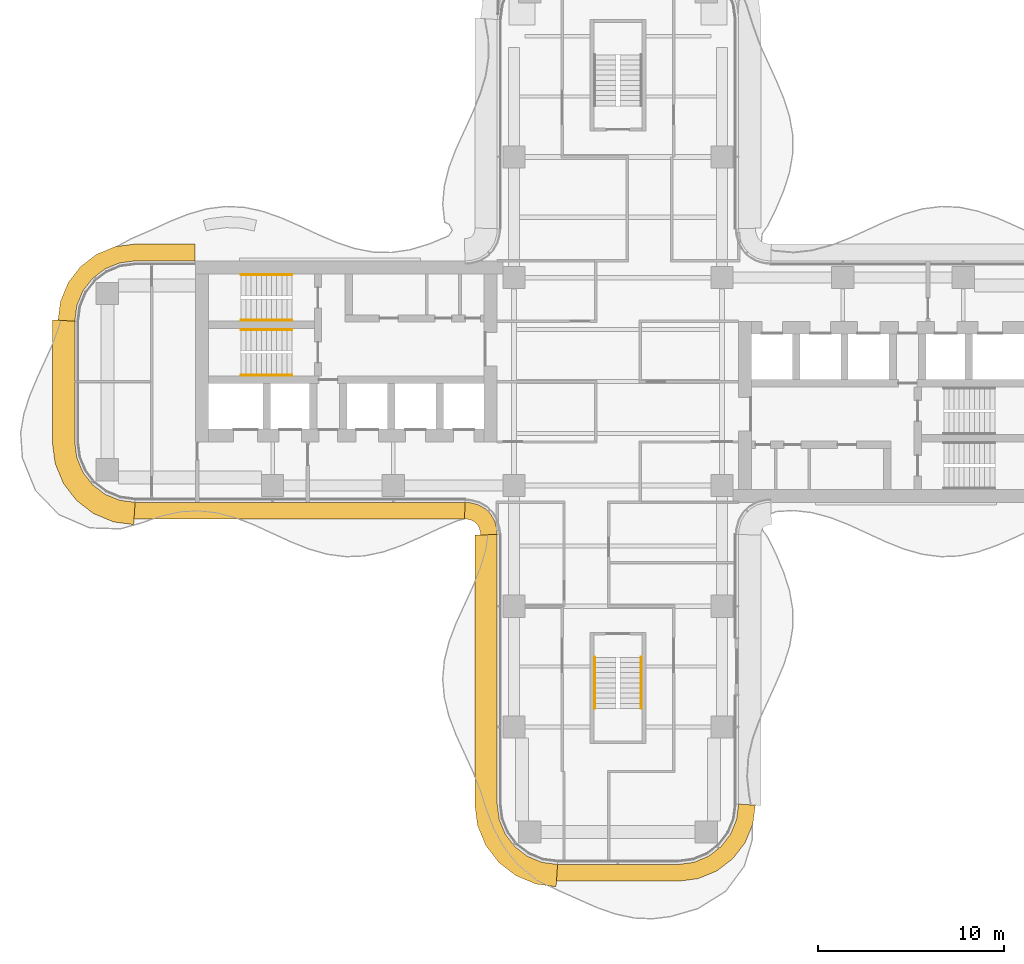
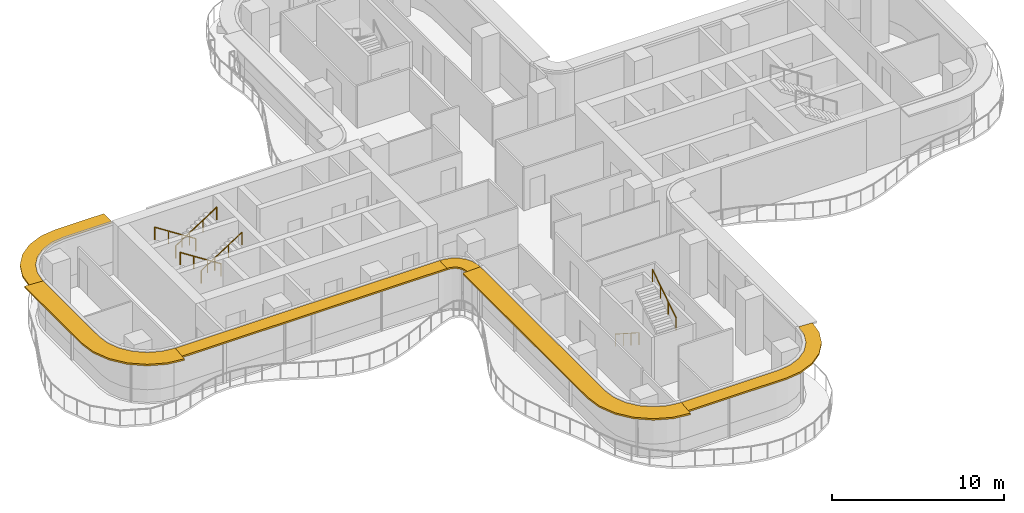
# One storey, part 16 of 17: 6 railings, 6 shading devices.
"""IFC4 building model written with IfcOpenShell, lengths in metres."""

import ifcopenshell
import ifcopenshell.guid

model = None  # the IFC model being written
_history = None  # IfcOwnerHistory: only IFC2X3 demands one
_inside = {}  # id of a spatial element -> (the spatial element, [elements in it])
_under = {}  # id of a project, library or spatial element -> (it, [spatial elements below it])
_declared = {}  # id of a project -> (the project, [libraries it declares])
_typed = {}  # id of a type object -> (the type object, [elements of that type])
_made_of = {}  # id of a material, layer set ... -> (it, [elements and type objects made of it])


def new_model(schema):
    """Start an empty IFC model of exactly this schema.

    Asked for "IFC4X3", IfcOpenShell would pick the latest addendum, in which some entities
    have other attributes; the version numbers below select the first issue.
    IFC2X3 requires an IfcOwnerHistory on every rooted entity: one is made here for all.
    """
    global model, _history
    if schema == "IFC4X3":
        model = ifcopenshell.file(schema_version=(4, 3, 0, 0))
    else:
        model = ifcopenshell.file(schema=schema)
    _inside.clear()
    _under.clear()
    _declared.clear()
    _typed.clear()
    _made_of.clear()
    _history = None
    if model.schema == "IFC2X3":
        org = make("IfcOrganization", Name="unknown")
        user = make(
            "IfcPersonAndOrganization",
            ThePerson=make("IfcPerson", FamilyName="unknown"),
            TheOrganization=org,
        )
        app = make(
            "IfcApplication",
            ApplicationDeveloper=org,
            Version="unknown",
            ApplicationFullName="unknown",
            ApplicationIdentifier="unknown",
        )
        _history = make(
            "IfcOwnerHistory",
            OwningUser=user,
            OwningApplication=app,
            ChangeAction="ADDED",
            CreationDate=0,
        )
    return model


def make(cls, **values):
    """One entity of the class cls with the attributes given. An attribute that is None is left unset."""
    return model.create_entity(
        cls, **{name: value for name, value in values.items() if value is not None}
    )


def rooted(cls, **values):
    """An entity with a GlobalId (a new one), such as an element, a storey or a relation."""
    return make(cls, GlobalId=ifcopenshell.guid.new(), OwnerHistory=_history, **values)


def si_unit(unit_type, name, prefix=None):
    """IfcSIUnit, for example si_unit("LENGTHUNIT", "METRE", prefix="MILLI")."""
    return make("IfcSIUnit", UnitType=unit_type, Prefix=prefix, Name=name)


def assignment(units):
    """IfcUnitAssignment: the units of a project."""
    return None if units is None else make("IfcUnitAssignment", Units=units)


def point(xyz):
    """IfcCartesianPoint."""
    return None if xyz is None else make("IfcCartesianPoint", Coordinates=xyz)


def direction(xyz):
    """IfcDirection."""
    return None if xyz is None else make("IfcDirection", DirectionRatios=xyz)


def frame(location, z_axis=None, x_axis=None):
    """IfcAxis2Placement3D, a coordinate frame: its origin and axes. An axis left out is left unset."""
    return make(
        "IfcAxis2Placement3D",
        Location=point(location),
        Axis=direction(z_axis),
        RefDirection=direction(x_axis),
    )


def frame_2d(location, x_axis=None):
    """IfcAxis2Placement2D, a coordinate frame in the plane: its origin and x axis."""
    return make(
        "IfcAxis2Placement2D", Location=point(location), RefDirection=direction(x_axis)
    )


def origin():
    """The frame at (0, 0, 0) with its axes left unset."""
    return frame((0.0, 0.0, 0.0))


def origin_2d():
    """The frame at (0, 0) in the plane with its x axis left unset."""
    return frame_2d((0.0, 0.0))


def place(relative_to, where):
    """IfcLocalPlacement: puts the frame where relative to a parent placement (None: the world)."""
    return make(
        "IfcLocalPlacement", PlacementRelTo=relative_to, RelativePlacement=where
    )


def context(
    kind, dimensions, precision=None, world=None, true_north=None, identifier=None
):
    """IfcGeometricRepresentationContext, for example the 3D "Model" context."""
    return make(
        "IfcGeometricRepresentationContext",
        ContextIdentifier=identifier,
        ContextType=kind,
        CoordinateSpaceDimension=dimensions,
        Precision=precision,
        WorldCoordinateSystem=world,
        TrueNorth=true_north,
    )


def subcontext(parent, identifier, kind, view, scale=None):
    """IfcGeometricRepresentationSubContext, for example "Body" below "Model"."""
    return make(
        "IfcGeometricRepresentationSubContext",
        ContextIdentifier=identifier,
        ContextType=kind,
        ParentContext=parent,
        TargetScale=scale,
        TargetView=view,
    )


def project(units=None, contexts=None):
    """IfcProject with its units and contexts."""
    return rooted(
        "IfcProject",
        Name="project",
        RepresentationContexts=contexts,
        UnitsInContext=assignment(units),
    )


def spatial(cls, under=None, at=None, **own):
    """A site, building, storey or space (cls), placed at a placement, below another one or the project."""
    s = rooted(cls, ObjectPlacement=at, **own)
    if under is not None:
        _under.setdefault(under.id(), (under, []))[1].append(s)
    return s


def polyline(points):
    """IfcPolyline through the points."""
    return make("IfcPolyline", Points=[point(p) for p in points])


def profile(cls, at=None, kind="AREA", **sizes):
    """A parametric profile (cls). Its sizes go by their IFC names, for example OverallWidth=200.0."""
    return make(cls, ProfileType=kind, Position=at, **sizes)


def circle(**sizes):
    """IfcCircleProfileDef."""
    return profile("IfcCircleProfileDef", **sizes)


def outline(outer, holes=None, kind="AREA"):
    """IfcArbitraryClosedProfileDef: a profile drawn as a closed curve; with holes, ...WithVoids."""
    if holes is None:
        return make("IfcArbitraryClosedProfileDef", ProfileType=kind, OuterCurve=outer)
    return make(
        "IfcArbitraryProfileDefWithVoids",
        ProfileType=kind,
        OuterCurve=outer,
        InnerCurves=holes,
    )


def extrude(swept, where, along, depth):
    """IfcExtrudedAreaSolid: the profile swept, set in the frame where, extruded along a direction by depth."""
    return make(
        "IfcExtrudedAreaSolid",
        SweptArea=swept,
        Position=where,
        ExtrudedDirection=direction(along),
        Depth=depth,
    )


def shape(context_of_items, identifier, shape_type, items):
    """IfcShapeRepresentation: the items that make up one representation, for example the "Body"."""
    return make(
        "IfcShapeRepresentation",
        ContextOfItems=context_of_items,
        RepresentationIdentifier=identifier,
        RepresentationType=shape_type,
        Items=items,
    )


def source(mapping_origin, context_of_items, identifier, shape_type, items):
    """IfcRepresentationMap: a shape defined once, which mapped items show again and again."""
    return make(
        "IfcRepresentationMap",
        MappingOrigin=mapping_origin,
        MappedRepresentation=shape(context_of_items, identifier, shape_type, items),
    )


def transform(
    local_origin,
    x_axis=None,
    y_axis=None,
    z_axis=None,
    scale=None,
    scale2=None,
    scale3=None,
    uniform=True,
):
    """IfcCartesianTransformationOperator3D, or its non-uniform kind. x_axis, y_axis, z_axis: its Axis1, 2, 3."""
    if uniform:
        return make(
            "IfcCartesianTransformationOperator3D",
            Axis1=direction(x_axis),
            Axis2=direction(y_axis),
            LocalOrigin=point(local_origin),
            Scale=scale,
            Axis3=direction(z_axis),
        )
    return make(
        "IfcCartesianTransformationOperator3DnonUniform",
        Axis1=direction(x_axis),
        Axis2=direction(y_axis),
        LocalOrigin=point(local_origin),
        Scale=scale,
        Axis3=direction(z_axis),
        Scale2=scale2,
        Scale3=scale3,
    )


def mapped(mapping_source, mapping_target):
    """IfcMappedItem: shows the shape of a source again, moved by a transform."""
    return make(
        "IfcMappedItem", MappingSource=mapping_source, MappingTarget=mapping_target
    )


def material(Name=None, Category=None):
    """IfcMaterial."""
    return make("IfcMaterial", Name=Name, Category=Category)


def layer(
    of_material, thickness, ventilated=None, Name=None, Category=None, Priority=None
):
    """IfcMaterialLayer: one layer of a wall or slab, of a material (None: an air gap)."""
    return make(
        "IfcMaterialLayer",
        Material=of_material,
        LayerThickness=thickness,
        IsVentilated=ventilated,
        Name=Name,
        Category=Category,
        Priority=Priority,
    )


def layer_set(layers, Name=None):
    """IfcMaterialLayerSet."""
    return make("IfcMaterialLayerSet", MaterialLayers=layers, LayerSetName=Name)


def made_of(thing, what):
    """Note that an element or type object is made of a material, layer set ...; save() writes the relation."""
    if what is not None:
        _made_of.setdefault(what.id(), (what, []))[1].append(thing)
    return thing


def type_object(cls, material=None, **own):
    """A type object (cls), such as IfcWallType, which elements share."""
    return made_of(rooted(cls, **own), material)


def element(
    cls,
    number,
    at=None,
    inside=None,
    cuts=None,
    type_object=None,
    material=None,
    context=None,
    identifier="Body",
    shape_type=None,
    held_by="IfcProductDefinitionShape",
    body=None,
    shapes=None,
    **own,
):
    """One element of the class cls, such as IfcWall. Its Tag is "e" and its number.

    at: its placement. inside: the storey or other place that contains it. cuts: it is an
    opening in that element (IfcRelVoidsElement). A single representation is given by context,
    identifier, shape_type and body (its items); several are given by shapes. held_by: the class
    of the entity that holds the representations. save() writes the other relations.
    """
    e = rooted(cls, Tag="e%d" % number, ObjectPlacement=at, **own)
    if body is not None:
        shapes = [shape(context, identifier, shape_type, body)]
    if shapes is not None:
        e.Representation = make(held_by, Representations=shapes)
    if inside is not None:
        _inside.setdefault(inside.id(), (inside, []))[1].append(e)
    if cuts is not None:
        rooted(
            "IfcRelVoidsElement", RelatingBuildingElement=cuts, RelatedOpeningElement=e
        )
    if type_object is not None:
        _typed.setdefault(type_object.id(), (type_object, []))[1].append(e)
    return made_of(e, material)


def aggregate(whole, parts):
    """IfcRelAggregates: a whole, such as a stair, and the parts it consists of."""
    return rooted("IfcRelAggregates", RelatingObject=whole, RelatedObjects=parts)


def save(model, path):
    """Write the relations noted so far, then the file.

    IfcRelAggregates (storeys below a building ...), IfcRelContainedInSpatialStructure (elements
    in a storey), IfcRelDefinesByType, IfcRelAssociatesMaterial and IfcRelDeclares: one each for
    every whole, place, type object, material and project.
    """
    for whole, parts in _under.values():
        aggregate(whole, parts)
    for where, things in _inside.values():
        rooted(
            "IfcRelContainedInSpatialStructure",
            RelatedElements=things,
            RelatingStructure=where,
        )
    for kind, things in _typed.values():
        rooted("IfcRelDefinesByType", RelatedObjects=things, RelatingType=kind)
    for what, things in _made_of.values():
        rooted("IfcRelAssociatesMaterial", RelatedObjects=things, RelatingMaterial=what)
    for by, libraries in _declared.values():
        rooted("IfcRelDeclares", RelatingContext=by, RelatedDefinitions=libraries)
    model.write(path)


model = new_model("IFC4")

# Units and contexts
model_context = context("Model", 3, precision=1e-05, world=origin(), true_north=direction((0.0, 1.0)))
body_context = subcontext(model_context, "Body", "Model", "MODEL_VIEW")
ifc_project = project(units=[si_unit("LENGTHUNIT", "METRE"), si_unit("AREAUNIT", "SQUARE_METRE"), si_unit("VOLUMEUNIT", "CUBIC_METRE"), si_unit("PLANEANGLEUNIT", "RADIAN"), si_unit("MASSUNIT", "GRAM", prefix="KILO")], contexts=[model_context])

# Site, building, storey
site_placement = place(None, origin())
site = spatial("IfcSite", under=ifc_project, at=site_placement, CompositionType="ELEMENT")
building_placement = place(site_placement, origin())
building = spatial("IfcBuilding", under=site, at=building_placement, Name="Trellis Farm Tower", CompositionType="ELEMENT")
storey_placement = place(building_placement, frame((0.0, 0.0, 185.39990234375)))
storey = spatial("IfcBuildingStorey", under=building, at=storey_placement, Name="L40", CompositionType="ELEMENT", Elevation=185.39990234375)

# Railings
ifc_material_1 = material(Name="Stainless steel", Category="steel")
railing_type = type_object("IfcRailingType", Name="STAIR HANDRAIL 900", PredefinedType="HANDRAIL", material=ifc_material_1)
shared_shape_1 = source(origin(), body_context, "Body", "SweptSolid", [
    extrude(circle(Radius=0.02392578125, at=origin_2d()), frame((0.0, 0.0, 0.8759765625), z_axis=(0.0, 0.840503830235, 0.541805602924), x_axis=(-1.0, 0.0, 0.0)), (0.0, 0.0, 1.0), 3.271728515625),
    extrude(circle(Radius=0.02099609375, at=origin_2d()), origin(), (0.0, 0.0, 1.0), 0.851806640625),
    extrude(circle(Radius=0.02099609375, at=origin_2d()), frame((0.0, 0.916748046875, 0.5908203125)), (0.0, 0.0, 1.0), 0.851806640625),
    extrude(circle(Radius=0.02099609375, at=origin_2d()), frame((0.0, 1.833251953125, 1.181884765625)), (0.0, 0.0, 1.0), 0.851806640625),
    extrude(circle(Radius=0.02099609375, at=origin_2d()), frame((0.0, 2.75, 1.772705078125)), (0.0, 0.0, 1.0), 0.851806640625),
])
railing_1_placement = place(storey_placement, frame((1.25, -17.60009765625, 2.12744140625)))
element("IfcRailing", 1, at=railing_1_placement, inside=storey, type_object=railing_type, Name="Stair handrail", PredefinedType="HANDRAIL", context=body_context, shape_type="MappedRepresentation", body=[
    mapped(shared_shape_1, transform((0.0, 0.0, 0.0))),
])
shared_shape_2 = source(origin(), body_context, "Body", "SweptSolid", [
    extrude(circle(Radius=0.02392578125, at=origin_2d()), frame((0.0, 0.0, 0.8759765625), z_axis=(0.0, -0.840503830235, 0.541805602924), x_axis=(1.0, 0.0, 0.0)), (0.0, 0.0, 1.0), 3.271728515625),
    extrude(circle(Radius=0.02099609375, at=origin_2d()), origin(), (0.0, 0.0, 1.0), 0.851806640625),
    extrude(circle(Radius=0.02099609375, at=origin_2d()), frame((0.0, -0.916748046875, 0.5908203125)), (0.0, 0.0, 1.0), 0.851806640625),
    extrude(circle(Radius=0.02099609375, at=origin_2d()), frame((0.0, -1.833251953125, 1.181884765625)), (0.0, 0.0, 1.0), 0.851806640625),
    extrude(circle(Radius=0.02099609375, at=origin_2d()), frame((0.0, -2.75, 1.772705078125)), (0.0, 0.0, 1.0), 0.851806640625),
])
railing_2_placement = place(storey_placement, frame((-1.25, -14.85009765625, 0.177490234375)))
element("IfcRailing", 2, at=railing_2_placement, inside=storey, type_object=railing_type, Name="Stair handrail", PredefinedType="HANDRAIL", context=body_context, shape_type="MappedRepresentation", body=[
    mapped(shared_shape_2, transform((0.0, 0.0, 0.0))),
])
shared_shape_3 = source(origin(), body_context, "Body", "SweptSolid", [
    extrude(circle(Radius=0.02392578125, at=origin_2d()), frame((0.0, 0.0, 0.8759765625), z_axis=(0.840503830235, 0.0, 0.541805602924), x_axis=(0.0, 1.0, 0.0)), (0.0, 0.0, 1.0), 3.271728515625),
    extrude(circle(Radius=0.02099609375, at=origin_2d()), origin(), (0.0, 0.0, 1.0), 0.851806640625),
    extrude(circle(Radius=0.02099609375, at=origin_2d()), frame((0.916748046875, 0.0, 0.5908203125)), (0.0, 0.0, 1.0), 0.851806640625),
    extrude(circle(Radius=0.02099609375, at=origin_2d()), frame((1.833251953125, 0.0, 1.181884765625)), (0.0, 0.0, 1.0), 0.851806640625),
    extrude(circle(Radius=0.02099609375, at=origin_2d()), frame((2.75, 0.0, 1.772705078125)), (0.0, 0.0, 1.0), 0.851806640625),
])
for number, where, name in (
    (3, (-20.300048828125, 3.300048828125, 2.12744140625), "Stair handrail"),
    (4, (-20.300048828125, 0.35009765625, 2.12744140625), "Stair handrail"),
):
    element("IfcRailing", number, at=place(storey_placement, frame(where)), inside=storey, type_object=railing_type, Name=name, PredefinedType="HANDRAIL", context=body_context, shape_type="MappedRepresentation", body=[
        mapped(shared_shape_3, transform((0.0, 0.0, 0.0))),
    ])
shared_shape_4 = source(origin(), body_context, "Body", "SweptSolid", [
    extrude(circle(Radius=0.02392578125, at=origin_2d()), frame((0.0, 0.0, 0.8759765625), z_axis=(-0.840503830235, 0.0, 0.541805602924), x_axis=(0.0, -1.0, 0.0)), (0.0, 0.0, 1.0), 3.271728515625),
    extrude(circle(Radius=0.02099609375, at=origin_2d()), origin(), (0.0, 0.0, 1.0), 0.851806640625),
    extrude(circle(Radius=0.02099609375, at=origin_2d()), frame((-0.916748046875, 0.0, 0.5908203125)), (0.0, 0.0, 1.0), 0.851806640625),
    extrude(circle(Radius=0.02099609375, at=origin_2d()), frame((-1.833251953125, 0.0, 1.181884765625)), (0.0, 0.0, 1.0), 0.851806640625),
    extrude(circle(Radius=0.02099609375, at=origin_2d()), frame((-2.75, 0.0, 1.772705078125)), (0.0, 0.0, 1.0), 0.851806640625),
])
for number, where, name in (
    (5, (-17.550048828125, 5.75, 0.177490234375), "Stair handrail"),
    (6, (-17.550048828125, 2.800048828125, 0.177490234375), "Stair handrail"),
):
    element("IfcRailing", number, at=place(storey_placement, frame(where)), inside=storey, type_object=railing_type, Name=name, PredefinedType="HANDRAIL", context=body_context, shape_type="MappedRepresentation", body=[
        mapped(shared_shape_4, transform((0.0, 0.0, 0.0))),
    ])

# Shading devices
ifc_material_2 = material(Name="Aluminium extrusion 6063-T6", Category="aluminium")
ifc_layer_1 = layer(ifc_material_2, 0.1201171875)
ifc_layer_set_1 = layer_set([ifc_layer_1], Name="SUNSHADE BLADE 900")
shading_device_type_1 = type_object("IfcShadingDeviceType", Name="SUNSHADE BLADE 900", PredefinedType="USERDEFINED", material=ifc_layer_set_1)
shared_shape_5 = source(origin(), body_context, "Body", "SweptSolid", [
    extrude(outline(polyline([(-8.2607421875, -7.39990234375), (-8.107666015625, -7.409912109375), (-8.091552734375, -7.412109375), (-7.85595703125, -7.475341796875), (-7.697021484375, -7.567138671875), (-7.567138671875, -7.697021484375), (-7.475341796875, -7.85595703125), (-7.412109375, -8.091552734375), (-7.409912109375, -8.107666015625), (-7.39990234375, -8.2607421875), (-6.5, -8.2314453125), (-6.513916015625, -8.01953125), (-6.527587890625, -7.91552734375), (-6.63671875, -7.508544921875), (-6.846923828125, -7.144287109375), (-7.144287109375, -6.846923828125), (-7.508544921875, -6.63671875), (-7.91552734375, -6.527587890625), (-8.01953125, -6.513916015625), (-8.2314453125, -6.5), (-8.2607421875, -7.39990234375)])), origin(), (0.0, 0.0, 1.0), 0.1201171875),
])
placement = place(storey_placement, frame((0.0, 0.0, 3.5400390625)))
element("IfcShadingDevice", 7, at=placement, inside=storey, type_object=shading_device_type_1, Name="SD1 002", ObjectType="SUNSHADE", PredefinedType="USERDEFINED", context=body_context, shape_type="MappedRepresentation", body=[
    mapped(shared_shape_5, transform((0.0, 0.0, 0.0))),
])
ifc_layer_2 = layer(ifc_material_2, 0.1201171875)
ifc_layer_set_2 = layer_set([ifc_layer_2], Name="SUNSHADE BLADE 1200")
shading_device_type_2 = type_object("IfcShadingDeviceType", Name="SUNSHADE BLADE 1200", PredefinedType="USERDEFINED", material=ifc_layer_set_2)
shared_shape_6 = source(origin(), body_context, "Body", "SweptSolid", [
    extrude(outline(polyline([(-7.699951171875, -8.270751953125), (-7.699951171875, -22.82861328125), (-7.558349609375, -23.904541015625), (-7.11279296875, -24.980224609375), (-6.404052734375, -25.904052734375), (-5.480224609375, -26.61279296875), (-4.404541015625, -27.058349609375), (-3.32861328125, -27.199951171875), (-3.25, -26.0), (-4.091064453125, -25.88916015625), (-4.875, -25.564697265625), (-5.548095703125, -25.048095703125), (-6.064697265625, -24.375), (-6.38916015625, -23.591064453125), (-6.5, -22.75), (-6.5, -8.2314453125), (-7.699951171875, -8.270751953125)])), origin(), (0.0, 0.0, 1.0), 0.1201171875),
])
element("IfcShadingDevice", 8, at=placement, inside=storey, type_object=shading_device_type_2, Name="SD2 003", ObjectType="SUNSHADE", PredefinedType="USERDEFINED", context=body_context, shape_type="MappedRepresentation", body=[
    mapped(shared_shape_6, transform((0.0, 0.0, 0.0))),
])
shared_shape_7 = source(origin(), body_context, "Body", "SweptSolid", [
    extrude(outline(polyline([(-3.30908203125, -26.89990234375), (3.30908203125, -26.89990234375), (4.326171875, -26.76611328125), (5.328857421875, -26.350830078125), (6.18994140625, -25.68994140625), (6.850830078125, -24.828857421875), (7.26611328125, -23.826171875), (7.39990234375, -22.80908203125), (6.5, -22.75), (6.38916015625, -23.591064453125), (6.064697265625, -24.375), (5.548095703125, -25.048095703125), (4.875, -25.564697265625), (4.091064453125, -25.88916015625), (3.25, -26.0), (-3.25, -26.0), (-3.30908203125, -26.89990234375)])), origin(), (0.0, 0.0, 1.0), 0.1201171875),
])
element("IfcShadingDevice", 9, at=placement, inside=storey, type_object=shading_device_type_1, Name="SD1 004", ObjectType="SUNSHADE", PredefinedType="USERDEFINED", context=body_context, shape_type="MappedRepresentation", body=[
    mapped(shared_shape_7, transform((0.0, 0.0, 0.0))),
])
shared_shape_8 = source(origin(), body_context, "Body", "SweptSolid", [
    extrude(outline(polyline([(-26.05908203125, -7.39990234375), (-8.2607421875, -7.39990234375), (-8.2314453125, -6.5), (-26.0, -6.5), (-26.05908203125, -7.39990234375)])), origin(), (0.0, 0.0, 1.0), 0.1201171875),
])
element("IfcShadingDevice", 10, at=placement, inside=storey, type_object=shading_device_type_1, Name="SD1 001", ObjectType="SUNSHADE", PredefinedType="USERDEFINED", context=body_context, shape_type="MappedRepresentation", body=[
    mapped(shared_shape_8, transform((0.0, 0.0, 0.0))),
])
shared_shape_9 = source(origin(), body_context, "Body", "SweptSolid", [
    extrude(outline(polyline([(-22.780029296875, 7.39990234375), (-26.05908203125, 7.39990234375), (-27.076171875, 7.26611328125), (-28.078857421875, 6.850830078125), (-28.93994140625, 6.18994140625), (-29.600830078125, 5.328857421875), (-30.01611328125, 4.326171875), (-30.14990234375, 3.30908203125), (-29.25, 3.25), (-29.13916015625, 4.091064453125), (-28.814697265625, 4.875), (-28.298095703125, 5.548095703125), (-27.625, 6.064697265625), (-26.841064453125, 6.38916015625), (-26.0, 6.5), (-22.780029296875, 6.5), (-22.780029296875, 7.39990234375)])), origin(), (0.0, 0.0, 1.0), 0.1201171875),
])
element("IfcShadingDevice", 11, at=placement, inside=storey, type_object=shading_device_type_1, Name="SD1 015", ObjectType="SUNSHADE", PredefinedType="USERDEFINED", context=body_context, shape_type="MappedRepresentation", body=[
    mapped(shared_shape_9, transform((0.0, 0.0, 0.0))),
])
shared_shape_10 = source(origin(), body_context, "Body", "SweptSolid", [
    extrude(outline(polyline([(-30.449951171875, 3.32861328125), (-30.449951171875, -3.32861328125), (-30.308349609375, -4.404541015625), (-29.86279296875, -5.480224609375), (-29.154052734375, -6.404052734375), (-28.230224609375, -7.11279296875), (-27.154541015625, -7.558349609375), (-26.07861328125, -7.699951171875), (-26.0, -6.5), (-26.841064453125, -6.38916015625), (-27.625, -6.064697265625), (-28.298095703125, -5.548095703125), (-28.814697265625, -4.875), (-29.13916015625, -4.091064453125), (-29.25, -3.25), (-29.25, 3.25), (-30.449951171875, 3.32861328125)])), origin(), (0.0, 0.0, 1.0), 0.1201171875),
])
element("IfcShadingDevice", 12, at=placement, inside=storey, type_object=shading_device_type_2, Name="SD2 016", ObjectType="SUNSHADE", PredefinedType="USERDEFINED", context=body_context, shape_type="MappedRepresentation", body=[
    mapped(shared_shape_10, transform((0.0, 0.0, 0.0))),
])

save(model, "model.ifc")
